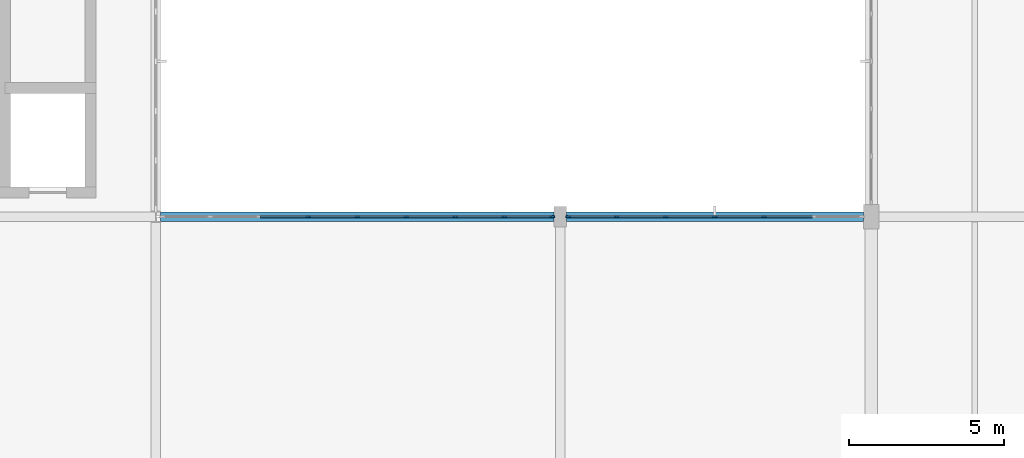
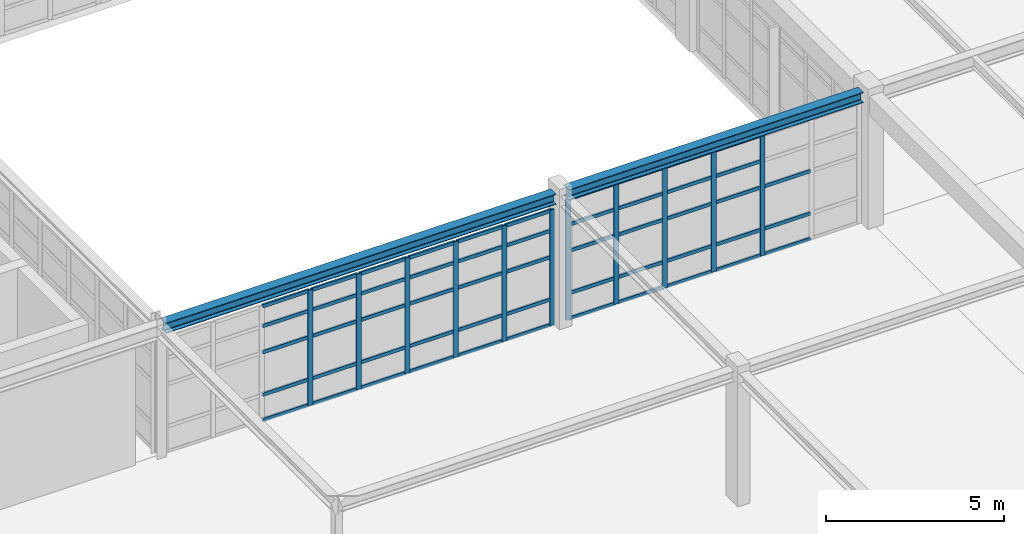
# One storey, part 67 of 139: 64 members, 2 beams, 2 elements without a shape of their own.
"""IFC4 building model written with IfcOpenShell, lengths in metres."""

from ifc_helpers import new_model, si_unit, direction, frame, origin, origin_2d, place, context, subcontext, project, spatial, rectangle, i_section, extrude, material, layer, layer_set, material_profile, profile_set, type_object, element, aggregate, save


model = new_model("IFC4")

# Units and contexts
model_context = context("Model", 3, precision=1e-05, world=origin(), true_north=direction((0.0, 1.0)))
body_context = subcontext(model_context, "Body", "Model", "MODEL_VIEW")
ifc_project = project(units=[si_unit("LENGTHUNIT", "METRE"), si_unit("AREAUNIT", "SQUARE_METRE"), si_unit("VOLUMEUNIT", "CUBIC_METRE"), si_unit("PLANEANGLEUNIT", "RADIAN"), si_unit("MASSUNIT", "GRAM", prefix="KILO"), si_unit("THERMODYNAMICTEMPERATUREUNIT", "KELVIN"), si_unit("POWERUNIT", "WATT")], contexts=[model_context])

# Site, building, storey
site_placement = place(None, origin())
site = spatial("IfcSite", under=ifc_project, at=site_placement, CompositionType="ELEMENT")
building_placement = place(site_placement, origin())
building = spatial("IfcBuilding", under=site, at=building_placement, Name="Korenveer Ferry Terminal", CompositionType="ELEMENT")
storey_placement = place(building_placement, frame((0.0, 0.0, 5.39990234375)))
storey = spatial("IfcBuildingStorey", under=building, at=storey_placement, Name="L01", CompositionType="ELEMENT", Elevation=5.39990234375)

# Curtain wall, members
ifc_material_1 = material(Name="Unitised bronze-and-glass curtain wall", Category="glass")
ifc_layer_1 = layer(ifc_material_1, 0.159912109375)
ifc_layer_set_1 = layer_set([ifc_layer_1], Name="Unitised bronze-and-glass curtain wall")
curtain_wall_type_1 = type_object("IfcCurtainWallType", Name="ENV-CW-44", PredefinedType="USERDEFINED", material=ifc_layer_set_1)
curtain_wall_1_placement = place(storey_placement, frame((123.179931640625, 50.0, 0.0)))
curtain_wall_1 = element("IfcCurtainWall", 1, at=curtain_wall_1_placement, inside=storey, type_object=curtain_wall_type_1, Name="Lancet curtain wall CWX-L01-X123-136-Y50-50", ObjectType="UNITISED CURTAIN WALL", PredefinedType="USERDEFINED")
ifc_material_2 = material(Name="Anodised bronze aluminium", Category="aluminium")
ifc_material_profile_1 = material_profile(ifc_material_2, rectangle(XDim=0.06005859375, YDim=0.159912109375, at=origin_2d()), Name="ALU 60x160")
ifc_profile_set_1 = profile_set([ifc_material_profile_1], Name="Anodised bronze aluminium")
member_type_1 = type_object("IfcMemberType", Name="ENV-CWM-60X160", PredefinedType="MULLION", material=ifc_profile_set_1)
member_1_placement = place(storey_placement, frame((127.9013671875, 50.0, 0.0), z_axis=(0.0, 0.0, 1.0), x_axis=(0.0, 1.0, 0.0)))
member_1 = element("IfcMember", 2, at=member_1_placement, type_object=member_type_1, Name="CW-44 mullion 4", PredefinedType="MULLION", context=body_context, shape_type="SweptSolid", body=[
    extrude(rectangle(XDim=0.06005859375, YDim=0.159912109375, at=origin_2d()), origin(), (0.0, 0.0, 1.0), 3.960205078125),
])
member_2_placement = place(storey_placement, frame((129.47509765625, 50.0, 0.0), z_axis=(0.0, 0.0, 1.0), x_axis=(0.0, 1.0, 0.0)))
member_2 = element("IfcMember", 3, at=member_2_placement, type_object=member_type_1, Name="CW-44 mullion 5", PredefinedType="MULLION", context=body_context, shape_type="SweptSolid", body=[
    extrude(rectangle(XDim=0.06005859375, YDim=0.159912109375, at=origin_2d()), origin(), (0.0, 0.0, 1.0), 3.960205078125),
])
member_3_placement = place(storey_placement, frame((131.048828125, 50.0, 0.0), z_axis=(0.0, 0.0, 1.0), x_axis=(0.0, 1.0, 0.0)))
member_3 = element("IfcMember", 4, at=member_3_placement, type_object=member_type_1, Name="CW-44 mullion 6", PredefinedType="MULLION", context=body_context, shape_type="SweptSolid", body=[
    extrude(rectangle(XDim=0.06005859375, YDim=0.159912109375, at=origin_2d()), origin(), (0.0, 0.0, 1.0), 3.960205078125),
])
member_4_placement = place(storey_placement, frame((132.62255859375, 50.0, 0.0), z_axis=(0.0, 0.0, 1.0), x_axis=(0.0, 1.0, 0.0)))
member_4 = element("IfcMember", 5, at=member_4_placement, type_object=member_type_1, Name="CW-44 mullion 7", PredefinedType="MULLION", context=body_context, shape_type="SweptSolid", body=[
    extrude(rectangle(XDim=0.06005859375, YDim=0.159912109375, at=origin_2d()), origin(), (0.0, 0.0, 1.0), 3.960205078125),
])
member_5_placement = place(storey_placement, frame((134.1962890625, 50.0, 0.0), z_axis=(0.0, 0.0, 1.0), x_axis=(0.0, 1.0, 0.0)))
member_5 = element("IfcMember", 6, at=member_5_placement, type_object=member_type_1, Name="CW-44 mullion 8", PredefinedType="MULLION", context=body_context, shape_type="SweptSolid", body=[
    extrude(rectangle(XDim=0.06005859375, YDim=0.159912109375, at=origin_2d()), origin(), (0.0, 0.0, 1.0), 3.960205078125),
])
member_6_placement = place(storey_placement, frame((135.739990234375, 50.0, 0.0), z_axis=(0.0, 0.0, 1.0), x_axis=(0.0, 1.0, 0.0)))
member_6 = element("IfcMember", 7, at=member_6_placement, type_object=member_type_1, Name="CW-44 mullion 9", PredefinedType="MULLION", context=body_context, shape_type="SweptSolid", body=[
    extrude(rectangle(XDim=0.06005859375, YDim=0.159912109375, at=origin_2d()), origin(), (0.0, 0.0, 1.0), 3.960205078125),
])

ifc_layer_2 = layer(ifc_material_1, 0.159912109375)
ifc_layer_set_2 = layer_set([ifc_layer_2], Name="Unitised bronze-and-glass curtain wall")
curtain_wall_type_2 = type_object("IfcCurtainWallType", Name="ENV-CW-45", PredefinedType="USERDEFINED", material=ifc_layer_set_2)
curtain_wall_2_placement = place(storey_placement, frame((136.22998046875, 50.0, 0.0)))
curtain_wall_2 = element("IfcCurtainWall", 8, at=curtain_wall_2_placement, inside=storey, type_object=curtain_wall_type_2, Name="Lancet curtain wall CWX-L01-X136-146-Y50-50", ObjectType="UNITISED CURTAIN WALL", PredefinedType="USERDEFINED")
member_7_placement = place(storey_placement, frame((136.260009765625, 50.0, 0.0), z_axis=(0.0, 0.0, 1.0), x_axis=(0.0, 1.0, 0.0)))
member_7 = element("IfcMember", 9, at=member_7_placement, type_object=member_type_1, Name="CW-45 mullion 1", PredefinedType="MULLION", context=body_context, shape_type="SweptSolid", body=[
    extrude(rectangle(XDim=0.06005859375, YDim=0.159912109375, at=origin_2d()), origin(), (0.0, 0.0, 1.0), 4.16015625),
])
member_8_placement = place(storey_placement, frame((137.811767578125, 50.0, 0.0), z_axis=(0.0, 0.0, 1.0), x_axis=(0.0, 1.0, 0.0)))
member_8 = element("IfcMember", 10, at=member_8_placement, type_object=member_type_1, Name="CW-45 mullion 2", PredefinedType="MULLION", context=body_context, shape_type="SweptSolid", body=[
    extrude(rectangle(XDim=0.06005859375, YDim=0.159912109375, at=origin_2d()), origin(), (0.0, 0.0, 1.0), 4.16015625),
])
member_9_placement = place(storey_placement, frame((139.393310546875, 50.0, 0.0), z_axis=(0.0, 0.0, 1.0), x_axis=(0.0, 1.0, 0.0)))
member_9 = element("IfcMember", 11, at=member_9_placement, type_object=member_type_1, Name="CW-45 mullion 3", PredefinedType="MULLION", context=body_context, shape_type="SweptSolid", body=[
    extrude(rectangle(XDim=0.06005859375, YDim=0.159912109375, at=origin_2d()), origin(), (0.0, 0.0, 1.0), 4.16015625),
])
member_10_placement = place(storey_placement, frame((140.97509765625, 50.0, 0.0), z_axis=(0.0, 0.0, 1.0), x_axis=(0.0, 1.0, 0.0)))
member_10 = element("IfcMember", 12, at=member_10_placement, type_object=member_type_1, Name="CW-45 mullion 4", PredefinedType="MULLION", context=body_context, shape_type="SweptSolid", body=[
    extrude(rectangle(XDim=0.06005859375, YDim=0.159912109375, at=origin_2d()), origin(), (0.0, 0.0, 1.0), 4.16015625),
])
member_11_placement = place(storey_placement, frame((142.556640625, 50.0, 0.0), z_axis=(0.0, 0.0, 1.0), x_axis=(0.0, 1.0, 0.0)))
member_11 = element("IfcMember", 13, at=member_11_placement, type_object=member_type_1, Name="CW-45 mullion 5", PredefinedType="MULLION", context=body_context, shape_type="SweptSolid", body=[
    extrude(rectangle(XDim=0.06005859375, YDim=0.159912109375, at=origin_2d()), origin(), (0.0, 0.0, 1.0), 4.16015625),
])

# Member
ifc_material_profile_2 = material_profile(ifc_material_2, rectangle(XDim=0.06005859375, YDim=0.1201171875, at=origin_2d()), Name="ALU 60x120")
ifc_profile_set_2 = profile_set([ifc_material_profile_2], Name="Anodised bronze aluminium")
member_type_2 = type_object("IfcMemberType", Name="ENV-CWT-60X120", PredefinedType="USERDEFINED", material=ifc_profile_set_2)
member_12_placement = place(storey_placement, frame((126.357421875, 50.0, 0.030029296875), z_axis=(1.0, 0.0, 0.0), x_axis=(0.0, 1.0, 0.0)))
member_12 = element("IfcMember", 14, at=member_12_placement, type_object=member_type_2, Name="CW-44 transom 3.1", ObjectType="TRANSOM", PredefinedType="USERDEFINED", context=body_context, shape_type="SweptSolid", body=[
    extrude(rectangle(XDim=0.06005859375, YDim=0.1201171875, at=origin_2d()), origin(), (0.0, 0.0, 1.0), 1.513916015625),
])

member_13_placement = place(storey_placement, frame((126.357421875, 50.0, 0.900146484375), z_axis=(1.0, 0.0, 0.0), x_axis=(0.0, 1.0, 0.0)))
member_13 = element("IfcMember", 15, at=member_13_placement, type_object=member_type_2, Name="CW-44 transom 3.2", ObjectType="TRANSOM", PredefinedType="USERDEFINED", context=body_context, shape_type="SweptSolid", body=[
    extrude(rectangle(XDim=0.06005859375, YDim=0.1201171875, at=origin_2d()), origin(), (0.0, 0.0, 1.0), 1.513916015625),
])

member_14_placement = place(storey_placement, frame((126.357421875, 50.0, 2.35009765625), z_axis=(1.0, 0.0, 0.0), x_axis=(0.0, 1.0, 0.0)))
member_14 = element("IfcMember", 16, at=member_14_placement, type_object=member_type_2, Name="CW-44 transom 3.3", ObjectType="TRANSOM", PredefinedType="USERDEFINED", context=body_context, shape_type="SweptSolid", body=[
    extrude(rectangle(XDim=0.06005859375, YDim=0.1201171875, at=origin_2d()), origin(), (0.0, 0.0, 1.0), 1.513916015625),
])

member_15_placement = place(storey_placement, frame((126.357421875, 50.0, 3.25), z_axis=(1.0, 0.0, 0.0), x_axis=(0.0, 1.0, 0.0)))
member_15 = element("IfcMember", 17, at=member_15_placement, type_object=member_type_2, Name="CW-44 transom 3.4", ObjectType="TRANSOM", PredefinedType="USERDEFINED", context=body_context, shape_type="SweptSolid", body=[
    extrude(rectangle(XDim=0.06005859375, YDim=0.1201171875, at=origin_2d()), origin(), (0.0, 0.0, 1.0), 1.513916015625),
])

member_16_placement = place(storey_placement, frame((126.357421875, 50.0, 3.93017578125), z_axis=(1.0, 0.0, 0.0), x_axis=(0.0, 1.0, 0.0)))
member_16 = element("IfcMember", 18, at=member_16_placement, type_object=member_type_2, Name="CW-44 transom 3.5", ObjectType="TRANSOM", PredefinedType="USERDEFINED", context=body_context, shape_type="SweptSolid", body=[
    extrude(rectangle(XDim=0.06005859375, YDim=0.1201171875, at=origin_2d()), origin(), (0.0, 0.0, 1.0), 1.513916015625),
])

member_17_placement = place(storey_placement, frame((127.93115234375, 50.0, 0.030029296875), z_axis=(1.0, 0.0, 0.0), x_axis=(0.0, 1.0, 0.0)))
member_17 = element("IfcMember", 19, at=member_17_placement, type_object=member_type_2, Name="CW-44 transom 4.1", ObjectType="TRANSOM", PredefinedType="USERDEFINED", context=body_context, shape_type="SweptSolid", body=[
    extrude(rectangle(XDim=0.06005859375, YDim=0.1201171875, at=origin_2d()), origin(), (0.0, 0.0, 1.0), 1.513916015625),
])

member_18_placement = place(storey_placement, frame((127.93115234375, 50.0, 0.900146484375), z_axis=(1.0, 0.0, 0.0), x_axis=(0.0, 1.0, 0.0)))
member_18 = element("IfcMember", 20, at=member_18_placement, type_object=member_type_2, Name="CW-44 transom 4.2", ObjectType="TRANSOM", PredefinedType="USERDEFINED", context=body_context, shape_type="SweptSolid", body=[
    extrude(rectangle(XDim=0.06005859375, YDim=0.1201171875, at=origin_2d()), origin(), (0.0, 0.0, 1.0), 1.513916015625),
])

member_19_placement = place(storey_placement, frame((127.93115234375, 50.0, 2.35009765625), z_axis=(1.0, 0.0, 0.0), x_axis=(0.0, 1.0, 0.0)))
member_19 = element("IfcMember", 21, at=member_19_placement, type_object=member_type_2, Name="CW-44 transom 4.3", ObjectType="TRANSOM", PredefinedType="USERDEFINED", context=body_context, shape_type="SweptSolid", body=[
    extrude(rectangle(XDim=0.06005859375, YDim=0.1201171875, at=origin_2d()), origin(), (0.0, 0.0, 1.0), 1.513916015625),
])

member_20_placement = place(storey_placement, frame((127.93115234375, 50.0, 3.25), z_axis=(1.0, 0.0, 0.0), x_axis=(0.0, 1.0, 0.0)))
member_20 = element("IfcMember", 22, at=member_20_placement, type_object=member_type_2, Name="CW-44 transom 4.4", ObjectType="TRANSOM", PredefinedType="USERDEFINED", context=body_context, shape_type="SweptSolid", body=[
    extrude(rectangle(XDim=0.06005859375, YDim=0.1201171875, at=origin_2d()), origin(), (0.0, 0.0, 1.0), 1.513916015625),
])

member_21_placement = place(storey_placement, frame((127.93115234375, 50.0, 3.93017578125), z_axis=(1.0, 0.0, 0.0), x_axis=(0.0, 1.0, 0.0)))
member_21 = element("IfcMember", 23, at=member_21_placement, type_object=member_type_2, Name="CW-44 transom 4.5", ObjectType="TRANSOM", PredefinedType="USERDEFINED", context=body_context, shape_type="SweptSolid", body=[
    extrude(rectangle(XDim=0.06005859375, YDim=0.1201171875, at=origin_2d()), origin(), (0.0, 0.0, 1.0), 1.513916015625),
])

member_22_placement = place(storey_placement, frame((129.5048828125, 50.0, 0.030029296875), z_axis=(1.0, 0.0, 0.0), x_axis=(0.0, 1.0, 0.0)))
member_22 = element("IfcMember", 24, at=member_22_placement, type_object=member_type_2, Name="CW-44 transom 5.1", ObjectType="TRANSOM", PredefinedType="USERDEFINED", context=body_context, shape_type="SweptSolid", body=[
    extrude(rectangle(XDim=0.06005859375, YDim=0.1201171875, at=origin_2d()), origin(), (0.0, 0.0, 1.0), 1.513916015625),
])

member_23_placement = place(storey_placement, frame((129.5048828125, 50.0, 0.900146484375), z_axis=(1.0, 0.0, 0.0), x_axis=(0.0, 1.0, 0.0)))
member_23 = element("IfcMember", 25, at=member_23_placement, type_object=member_type_2, Name="CW-44 transom 5.2", ObjectType="TRANSOM", PredefinedType="USERDEFINED", context=body_context, shape_type="SweptSolid", body=[
    extrude(rectangle(XDim=0.06005859375, YDim=0.1201171875, at=origin_2d()), origin(), (0.0, 0.0, 1.0), 1.513916015625),
])

member_24_placement = place(storey_placement, frame((129.5048828125, 50.0, 2.35009765625), z_axis=(1.0, 0.0, 0.0), x_axis=(0.0, 1.0, 0.0)))
member_24 = element("IfcMember", 26, at=member_24_placement, type_object=member_type_2, Name="CW-44 transom 5.3", ObjectType="TRANSOM", PredefinedType="USERDEFINED", context=body_context, shape_type="SweptSolid", body=[
    extrude(rectangle(XDim=0.06005859375, YDim=0.1201171875, at=origin_2d()), origin(), (0.0, 0.0, 1.0), 1.513916015625),
])

member_25_placement = place(storey_placement, frame((129.5048828125, 50.0, 3.25), z_axis=(1.0, 0.0, 0.0), x_axis=(0.0, 1.0, 0.0)))
member_25 = element("IfcMember", 27, at=member_25_placement, type_object=member_type_2, Name="CW-44 transom 5.4", ObjectType="TRANSOM", PredefinedType="USERDEFINED", context=body_context, shape_type="SweptSolid", body=[
    extrude(rectangle(XDim=0.06005859375, YDim=0.1201171875, at=origin_2d()), origin(), (0.0, 0.0, 1.0), 1.513916015625),
])

member_26_placement = place(storey_placement, frame((129.5048828125, 50.0, 3.93017578125), z_axis=(1.0, 0.0, 0.0), x_axis=(0.0, 1.0, 0.0)))
member_26 = element("IfcMember", 28, at=member_26_placement, type_object=member_type_2, Name="CW-44 transom 5.5", ObjectType="TRANSOM", PredefinedType="USERDEFINED", context=body_context, shape_type="SweptSolid", body=[
    extrude(rectangle(XDim=0.06005859375, YDim=0.1201171875, at=origin_2d()), origin(), (0.0, 0.0, 1.0), 1.513916015625),
])

member_27_placement = place(storey_placement, frame((131.078857421875, 50.0, 0.030029296875), z_axis=(1.0, 0.0, 0.0), x_axis=(0.0, 1.0, 0.0)))
member_27 = element("IfcMember", 29, at=member_27_placement, type_object=member_type_2, Name="CW-44 transom 6.1", ObjectType="TRANSOM", PredefinedType="USERDEFINED", context=body_context, shape_type="SweptSolid", body=[
    extrude(rectangle(XDim=0.06005859375, YDim=0.1201171875, at=origin_2d()), origin(), (0.0, 0.0, 1.0), 1.513671875),
])

member_28_placement = place(storey_placement, frame((131.078857421875, 50.0, 0.900146484375), z_axis=(1.0, 0.0, 0.0), x_axis=(0.0, 1.0, 0.0)))
member_28 = element("IfcMember", 30, at=member_28_placement, type_object=member_type_2, Name="CW-44 transom 6.2", ObjectType="TRANSOM", PredefinedType="USERDEFINED", context=body_context, shape_type="SweptSolid", body=[
    extrude(rectangle(XDim=0.06005859375, YDim=0.1201171875, at=origin_2d()), origin(), (0.0, 0.0, 1.0), 1.513671875),
])

member_29_placement = place(storey_placement, frame((131.078857421875, 50.0, 2.35009765625), z_axis=(1.0, 0.0, 0.0), x_axis=(0.0, 1.0, 0.0)))
member_29 = element("IfcMember", 31, at=member_29_placement, type_object=member_type_2, Name="CW-44 transom 6.3", ObjectType="TRANSOM", PredefinedType="USERDEFINED", context=body_context, shape_type="SweptSolid", body=[
    extrude(rectangle(XDim=0.06005859375, YDim=0.1201171875, at=origin_2d()), origin(), (0.0, 0.0, 1.0), 1.513671875),
])

member_30_placement = place(storey_placement, frame((131.078857421875, 50.0, 3.25), z_axis=(1.0, 0.0, 0.0), x_axis=(0.0, 1.0, 0.0)))
member_30 = element("IfcMember", 32, at=member_30_placement, type_object=member_type_2, Name="CW-44 transom 6.4", ObjectType="TRANSOM", PredefinedType="USERDEFINED", context=body_context, shape_type="SweptSolid", body=[
    extrude(rectangle(XDim=0.06005859375, YDim=0.1201171875, at=origin_2d()), origin(), (0.0, 0.0, 1.0), 1.513671875),
])

member_31_placement = place(storey_placement, frame((131.078857421875, 50.0, 3.93017578125), z_axis=(1.0, 0.0, 0.0), x_axis=(0.0, 1.0, 0.0)))
member_31 = element("IfcMember", 33, at=member_31_placement, type_object=member_type_2, Name="CW-44 transom 6.5", ObjectType="TRANSOM", PredefinedType="USERDEFINED", context=body_context, shape_type="SweptSolid", body=[
    extrude(rectangle(XDim=0.06005859375, YDim=0.1201171875, at=origin_2d()), origin(), (0.0, 0.0, 1.0), 1.513671875),
])

member_32_placement = place(storey_placement, frame((132.652587890625, 50.0, 0.030029296875), z_axis=(1.0, 0.0, 0.0), x_axis=(0.0, 1.0, 0.0)))
member_32 = element("IfcMember", 34, at=member_32_placement, type_object=member_type_2, Name="CW-44 transom 7.1", ObjectType="TRANSOM", PredefinedType="USERDEFINED", context=body_context, shape_type="SweptSolid", body=[
    extrude(rectangle(XDim=0.06005859375, YDim=0.1201171875, at=origin_2d()), origin(), (0.0, 0.0, 1.0), 1.513671875),
])

member_33_placement = place(storey_placement, frame((132.652587890625, 50.0, 0.900146484375), z_axis=(1.0, 0.0, 0.0), x_axis=(0.0, 1.0, 0.0)))
member_33 = element("IfcMember", 35, at=member_33_placement, type_object=member_type_2, Name="CW-44 transom 7.2", ObjectType="TRANSOM", PredefinedType="USERDEFINED", context=body_context, shape_type="SweptSolid", body=[
    extrude(rectangle(XDim=0.06005859375, YDim=0.1201171875, at=origin_2d()), origin(), (0.0, 0.0, 1.0), 1.513671875),
])

member_34_placement = place(storey_placement, frame((132.652587890625, 50.0, 2.35009765625), z_axis=(1.0, 0.0, 0.0), x_axis=(0.0, 1.0, 0.0)))
member_34 = element("IfcMember", 36, at=member_34_placement, type_object=member_type_2, Name="CW-44 transom 7.3", ObjectType="TRANSOM", PredefinedType="USERDEFINED", context=body_context, shape_type="SweptSolid", body=[
    extrude(rectangle(XDim=0.06005859375, YDim=0.1201171875, at=origin_2d()), origin(), (0.0, 0.0, 1.0), 1.513671875),
])

member_35_placement = place(storey_placement, frame((132.652587890625, 50.0, 3.25), z_axis=(1.0, 0.0, 0.0), x_axis=(0.0, 1.0, 0.0)))
member_35 = element("IfcMember", 37, at=member_35_placement, type_object=member_type_2, Name="CW-44 transom 7.4", ObjectType="TRANSOM", PredefinedType="USERDEFINED", context=body_context, shape_type="SweptSolid", body=[
    extrude(rectangle(XDim=0.06005859375, YDim=0.1201171875, at=origin_2d()), origin(), (0.0, 0.0, 1.0), 1.513671875),
])

member_36_placement = place(storey_placement, frame((132.652587890625, 50.0, 3.93017578125), z_axis=(1.0, 0.0, 0.0), x_axis=(0.0, 1.0, 0.0)))
member_36 = element("IfcMember", 38, at=member_36_placement, type_object=member_type_2, Name="CW-44 transom 7.5", ObjectType="TRANSOM", PredefinedType="USERDEFINED", context=body_context, shape_type="SweptSolid", body=[
    extrude(rectangle(XDim=0.06005859375, YDim=0.1201171875, at=origin_2d()), origin(), (0.0, 0.0, 1.0), 1.513671875),
])

member_37_placement = place(storey_placement, frame((134.226318359375, 50.0, 0.030029296875), z_axis=(1.0, 0.0, 0.0), x_axis=(0.0, 1.0, 0.0)))
member_37 = element("IfcMember", 39, at=member_37_placement, type_object=member_type_2, Name="CW-44 transom 8.1", ObjectType="TRANSOM", PredefinedType="USERDEFINED", context=body_context, shape_type="SweptSolid", body=[
    extrude(rectangle(XDim=0.06005859375, YDim=0.1201171875, at=origin_2d()), origin(), (0.0, 0.0, 1.0), 1.483642578125),
])

member_38_placement = place(storey_placement, frame((134.226318359375, 50.0, 0.900146484375), z_axis=(1.0, 0.0, 0.0), x_axis=(0.0, 1.0, 0.0)))
member_38 = element("IfcMember", 40, at=member_38_placement, type_object=member_type_2, Name="CW-44 transom 8.2", ObjectType="TRANSOM", PredefinedType="USERDEFINED", context=body_context, shape_type="SweptSolid", body=[
    extrude(rectangle(XDim=0.06005859375, YDim=0.1201171875, at=origin_2d()), origin(), (0.0, 0.0, 1.0), 1.483642578125),
])

member_39_placement = place(storey_placement, frame((134.226318359375, 50.0, 2.35009765625), z_axis=(1.0, 0.0, 0.0), x_axis=(0.0, 1.0, 0.0)))
member_39 = element("IfcMember", 41, at=member_39_placement, type_object=member_type_2, Name="CW-44 transom 8.3", ObjectType="TRANSOM", PredefinedType="USERDEFINED", context=body_context, shape_type="SweptSolid", body=[
    extrude(rectangle(XDim=0.06005859375, YDim=0.1201171875, at=origin_2d()), origin(), (0.0, 0.0, 1.0), 1.483642578125),
])

member_40_placement = place(storey_placement, frame((134.226318359375, 50.0, 3.25), z_axis=(1.0, 0.0, 0.0), x_axis=(0.0, 1.0, 0.0)))
member_40 = element("IfcMember", 42, at=member_40_placement, type_object=member_type_2, Name="CW-44 transom 8.4", ObjectType="TRANSOM", PredefinedType="USERDEFINED", context=body_context, shape_type="SweptSolid", body=[
    extrude(rectangle(XDim=0.06005859375, YDim=0.1201171875, at=origin_2d()), origin(), (0.0, 0.0, 1.0), 1.483642578125),
])

member_41_placement = place(storey_placement, frame((134.226318359375, 50.0, 3.93017578125), z_axis=(1.0, 0.0, 0.0), x_axis=(0.0, 1.0, 0.0)))
member_41 = element("IfcMember", 43, at=member_41_placement, type_object=member_type_2, Name="CW-44 transom 8.5", ObjectType="TRANSOM", PredefinedType="USERDEFINED", context=body_context, shape_type="SweptSolid", body=[
    extrude(rectangle(XDim=0.06005859375, YDim=0.1201171875, at=origin_2d()), origin(), (0.0, 0.0, 1.0), 1.483642578125),
])

aggregate(curtain_wall_1, [member_1, member_2, member_3, member_4, member_5, member_6, member_12, member_13, member_14, member_15, member_16, member_17, member_18, member_19, member_20, member_21, member_22, member_23, member_24, member_25, member_26, member_27, member_28, member_29, member_30, member_31, member_32, member_33, member_34, member_35, member_36, member_37, member_38, member_39, member_40, member_41])

member_42_placement = place(storey_placement, frame((136.2900390625, 50.0, 0.030029296875), z_axis=(1.0, 0.0, 0.0), x_axis=(0.0, 1.0, 0.0)))
member_42 = element("IfcMember", 44, at=member_42_placement, type_object=member_type_2, Name="CW-45 transom 1.1", ObjectType="TRANSOM", PredefinedType="USERDEFINED", context=body_context, shape_type="SweptSolid", body=[
    extrude(rectangle(XDim=0.06005859375, YDim=0.1201171875, at=origin_2d()), origin(), (0.0, 0.0, 1.0), 1.49169921875),
])

member_43_placement = place(storey_placement, frame((136.2900390625, 50.0, 0.900146484375), z_axis=(1.0, 0.0, 0.0), x_axis=(0.0, 1.0, 0.0)))
member_43 = element("IfcMember", 45, at=member_43_placement, type_object=member_type_2, Name="CW-45 transom 1.2", ObjectType="TRANSOM", PredefinedType="USERDEFINED", context=body_context, shape_type="SweptSolid", body=[
    extrude(rectangle(XDim=0.06005859375, YDim=0.1201171875, at=origin_2d()), origin(), (0.0, 0.0, 1.0), 1.49169921875),
])

member_44_placement = place(storey_placement, frame((136.2900390625, 50.0, 2.35009765625), z_axis=(1.0, 0.0, 0.0), x_axis=(0.0, 1.0, 0.0)))
member_44 = element("IfcMember", 46, at=member_44_placement, type_object=member_type_2, Name="CW-45 transom 1.3", ObjectType="TRANSOM", PredefinedType="USERDEFINED", context=body_context, shape_type="SweptSolid", body=[
    extrude(rectangle(XDim=0.06005859375, YDim=0.1201171875, at=origin_2d()), origin(), (0.0, 0.0, 1.0), 1.49169921875),
])

member_45_placement = place(storey_placement, frame((136.2900390625, 50.0, 3.25), z_axis=(1.0, 0.0, 0.0), x_axis=(0.0, 1.0, 0.0)))
member_45 = element("IfcMember", 47, at=member_45_placement, type_object=member_type_2, Name="CW-45 transom 1.4", ObjectType="TRANSOM", PredefinedType="USERDEFINED", context=body_context, shape_type="SweptSolid", body=[
    extrude(rectangle(XDim=0.06005859375, YDim=0.1201171875, at=origin_2d()), origin(), (0.0, 0.0, 1.0), 1.49169921875),
])

member_46_placement = place(storey_placement, frame((136.2900390625, 50.0, 4.130126953125), z_axis=(1.0, 0.0, 0.0), x_axis=(0.0, 1.0, 0.0)))
member_46 = element("IfcMember", 48, at=member_46_placement, type_object=member_type_2, Name="CW-45 transom 1.5", ObjectType="TRANSOM", PredefinedType="USERDEFINED", context=body_context, shape_type="SweptSolid", body=[
    extrude(rectangle(XDim=0.06005859375, YDim=0.1201171875, at=origin_2d()), origin(), (0.0, 0.0, 1.0), 1.49169921875),
])

member_47_placement = place(storey_placement, frame((137.841552734375, 50.0, 0.030029296875), z_axis=(1.0, 0.0, 0.0), x_axis=(0.0, 1.0, 0.0)))
member_47 = element("IfcMember", 49, at=member_47_placement, type_object=member_type_2, Name="CW-45 transom 2.1", ObjectType="TRANSOM", PredefinedType="USERDEFINED", context=body_context, shape_type="SweptSolid", body=[
    extrude(rectangle(XDim=0.06005859375, YDim=0.1201171875, at=origin_2d()), origin(), (0.0, 0.0, 1.0), 1.521728515625),
])

member_48_placement = place(storey_placement, frame((137.841552734375, 50.0, 0.900146484375), z_axis=(1.0, 0.0, 0.0), x_axis=(0.0, 1.0, 0.0)))
member_48 = element("IfcMember", 50, at=member_48_placement, type_object=member_type_2, Name="CW-45 transom 2.2", ObjectType="TRANSOM", PredefinedType="USERDEFINED", context=body_context, shape_type="SweptSolid", body=[
    extrude(rectangle(XDim=0.06005859375, YDim=0.1201171875, at=origin_2d()), origin(), (0.0, 0.0, 1.0), 1.521728515625),
])

member_49_placement = place(storey_placement, frame((137.841552734375, 50.0, 2.35009765625), z_axis=(1.0, 0.0, 0.0), x_axis=(0.0, 1.0, 0.0)))
member_49 = element("IfcMember", 51, at=member_49_placement, type_object=member_type_2, Name="CW-45 transom 2.3", ObjectType="TRANSOM", PredefinedType="USERDEFINED", context=body_context, shape_type="SweptSolid", body=[
    extrude(rectangle(XDim=0.06005859375, YDim=0.1201171875, at=origin_2d()), origin(), (0.0, 0.0, 1.0), 1.521728515625),
])

member_50_placement = place(storey_placement, frame((137.841552734375, 50.0, 3.25), z_axis=(1.0, 0.0, 0.0), x_axis=(0.0, 1.0, 0.0)))
member_50 = element("IfcMember", 52, at=member_50_placement, type_object=member_type_2, Name="CW-45 transom 2.4", ObjectType="TRANSOM", PredefinedType="USERDEFINED", context=body_context, shape_type="SweptSolid", body=[
    extrude(rectangle(XDim=0.06005859375, YDim=0.1201171875, at=origin_2d()), origin(), (0.0, 0.0, 1.0), 1.521728515625),
])

member_51_placement = place(storey_placement, frame((137.841552734375, 50.0, 4.130126953125), z_axis=(1.0, 0.0, 0.0), x_axis=(0.0, 1.0, 0.0)))
member_51 = element("IfcMember", 53, at=member_51_placement, type_object=member_type_2, Name="CW-45 transom 2.5", ObjectType="TRANSOM", PredefinedType="USERDEFINED", context=body_context, shape_type="SweptSolid", body=[
    extrude(rectangle(XDim=0.06005859375, YDim=0.1201171875, at=origin_2d()), origin(), (0.0, 0.0, 1.0), 1.521728515625),
])

member_52_placement = place(storey_placement, frame((139.42333984375, 50.0, 0.030029296875), z_axis=(1.0, 0.0, 0.0), x_axis=(0.0, 1.0, 0.0)))
member_52 = element("IfcMember", 54, at=member_52_placement, type_object=member_type_2, Name="CW-45 transom 3.1", ObjectType="TRANSOM", PredefinedType="USERDEFINED", context=body_context, shape_type="SweptSolid", body=[
    extrude(rectangle(XDim=0.06005859375, YDim=0.1201171875, at=origin_2d()), origin(), (0.0, 0.0, 1.0), 1.521728515625),
])

member_53_placement = place(storey_placement, frame((139.42333984375, 50.0, 0.900146484375), z_axis=(1.0, 0.0, 0.0), x_axis=(0.0, 1.0, 0.0)))
member_53 = element("IfcMember", 55, at=member_53_placement, type_object=member_type_2, Name="CW-45 transom 3.2", ObjectType="TRANSOM", PredefinedType="USERDEFINED", context=body_context, shape_type="SweptSolid", body=[
    extrude(rectangle(XDim=0.06005859375, YDim=0.1201171875, at=origin_2d()), origin(), (0.0, 0.0, 1.0), 1.521728515625),
])

member_54_placement = place(storey_placement, frame((139.42333984375, 50.0, 2.35009765625), z_axis=(1.0, 0.0, 0.0), x_axis=(0.0, 1.0, 0.0)))
member_54 = element("IfcMember", 56, at=member_54_placement, type_object=member_type_2, Name="CW-45 transom 3.3", ObjectType="TRANSOM", PredefinedType="USERDEFINED", context=body_context, shape_type="SweptSolid", body=[
    extrude(rectangle(XDim=0.06005859375, YDim=0.1201171875, at=origin_2d()), origin(), (0.0, 0.0, 1.0), 1.521728515625),
])

member_55_placement = place(storey_placement, frame((139.42333984375, 50.0, 3.25), z_axis=(1.0, 0.0, 0.0), x_axis=(0.0, 1.0, 0.0)))
member_55 = element("IfcMember", 57, at=member_55_placement, type_object=member_type_2, Name="CW-45 transom 3.4", ObjectType="TRANSOM", PredefinedType="USERDEFINED", context=body_context, shape_type="SweptSolid", body=[
    extrude(rectangle(XDim=0.06005859375, YDim=0.1201171875, at=origin_2d()), origin(), (0.0, 0.0, 1.0), 1.521728515625),
])

member_56_placement = place(storey_placement, frame((139.42333984375, 50.0, 4.130126953125), z_axis=(1.0, 0.0, 0.0), x_axis=(0.0, 1.0, 0.0)))
member_56 = element("IfcMember", 58, at=member_56_placement, type_object=member_type_2, Name="CW-45 transom 3.5", ObjectType="TRANSOM", PredefinedType="USERDEFINED", context=body_context, shape_type="SweptSolid", body=[
    extrude(rectangle(XDim=0.06005859375, YDim=0.1201171875, at=origin_2d()), origin(), (0.0, 0.0, 1.0), 1.521728515625),
])

member_57_placement = place(storey_placement, frame((141.0048828125, 50.0, 0.030029296875), z_axis=(1.0, 0.0, 0.0), x_axis=(0.0, 1.0, 0.0)))
member_57 = element("IfcMember", 59, at=member_57_placement, type_object=member_type_2, Name="CW-45 transom 4.1", ObjectType="TRANSOM", PredefinedType="USERDEFINED", context=body_context, shape_type="SweptSolid", body=[
    extrude(rectangle(XDim=0.06005859375, YDim=0.1201171875, at=origin_2d()), origin(), (0.0, 0.0, 1.0), 1.521728515625),
])

member_58_placement = place(storey_placement, frame((141.0048828125, 50.0, 0.900146484375), z_axis=(1.0, 0.0, 0.0), x_axis=(0.0, 1.0, 0.0)))
member_58 = element("IfcMember", 60, at=member_58_placement, type_object=member_type_2, Name="CW-45 transom 4.2", ObjectType="TRANSOM", PredefinedType="USERDEFINED", context=body_context, shape_type="SweptSolid", body=[
    extrude(rectangle(XDim=0.06005859375, YDim=0.1201171875, at=origin_2d()), origin(), (0.0, 0.0, 1.0), 1.521728515625),
])

member_59_placement = place(storey_placement, frame((141.0048828125, 50.0, 2.35009765625), z_axis=(1.0, 0.0, 0.0), x_axis=(0.0, 1.0, 0.0)))
member_59 = element("IfcMember", 61, at=member_59_placement, type_object=member_type_2, Name="CW-45 transom 4.3", ObjectType="TRANSOM", PredefinedType="USERDEFINED", context=body_context, shape_type="SweptSolid", body=[
    extrude(rectangle(XDim=0.06005859375, YDim=0.1201171875, at=origin_2d()), origin(), (0.0, 0.0, 1.0), 1.521728515625),
])

member_60_placement = place(storey_placement, frame((141.0048828125, 50.0, 3.25), z_axis=(1.0, 0.0, 0.0), x_axis=(0.0, 1.0, 0.0)))
member_60 = element("IfcMember", 62, at=member_60_placement, type_object=member_type_2, Name="CW-45 transom 4.4", ObjectType="TRANSOM", PredefinedType="USERDEFINED", context=body_context, shape_type="SweptSolid", body=[
    extrude(rectangle(XDim=0.06005859375, YDim=0.1201171875, at=origin_2d()), origin(), (0.0, 0.0, 1.0), 1.521728515625),
])

member_61_placement = place(storey_placement, frame((141.0048828125, 50.0, 4.130126953125), z_axis=(1.0, 0.0, 0.0), x_axis=(0.0, 1.0, 0.0)))
member_61 = element("IfcMember", 63, at=member_61_placement, type_object=member_type_2, Name="CW-45 transom 4.5", ObjectType="TRANSOM", PredefinedType="USERDEFINED", context=body_context, shape_type="SweptSolid", body=[
    extrude(rectangle(XDim=0.06005859375, YDim=0.1201171875, at=origin_2d()), origin(), (0.0, 0.0, 1.0), 1.521728515625),
])

member_62_placement = place(storey_placement, frame((142.586669921875, 50.0, 0.030029296875), z_axis=(1.0, 0.0, 0.0), x_axis=(0.0, 1.0, 0.0)))
member_62 = element("IfcMember", 64, at=member_62_placement, type_object=member_type_2, Name="CW-45 transom 5.1", ObjectType="TRANSOM", PredefinedType="USERDEFINED", context=body_context, shape_type="SweptSolid", body=[
    extrude(rectangle(XDim=0.06005859375, YDim=0.1201171875, at=origin_2d()), origin(), (0.0, 0.0, 1.0), 1.521728515625),
])

member_63_placement = place(storey_placement, frame((142.586669921875, 50.0, 0.900146484375), z_axis=(1.0, 0.0, 0.0), x_axis=(0.0, 1.0, 0.0)))
member_63 = element("IfcMember", 65, at=member_63_placement, type_object=member_type_2, Name="CW-45 transom 5.2", ObjectType="TRANSOM", PredefinedType="USERDEFINED", context=body_context, shape_type="SweptSolid", body=[
    extrude(rectangle(XDim=0.06005859375, YDim=0.1201171875, at=origin_2d()), origin(), (0.0, 0.0, 1.0), 1.521728515625),
])

member_64_placement = place(storey_placement, frame((142.586669921875, 50.0, 2.35009765625), z_axis=(1.0, 0.0, 0.0), x_axis=(0.0, 1.0, 0.0)))
member_64 = element("IfcMember", 66, at=member_64_placement, type_object=member_type_2, Name="CW-45 transom 5.3", ObjectType="TRANSOM", PredefinedType="USERDEFINED", context=body_context, shape_type="SweptSolid", body=[
    extrude(rectangle(XDim=0.06005859375, YDim=0.1201171875, at=origin_2d()), origin(), (0.0, 0.0, 1.0), 1.521728515625),
])

aggregate(curtain_wall_2, [member_7, member_8, member_9, member_10, member_11, member_42, member_43, member_44, member_45, member_46, member_47, member_48, member_49, member_50, member_51, member_52, member_53, member_54, member_55, member_56, member_57, member_58, member_59, member_60, member_61, member_62, member_63, member_64])

# Beams
ifc_material_3 = material(Name="Steel S355", Category="steel")
ifc_material_profile_3 = material_profile(ifc_material_3, i_section(OverallWidth=0.300048828125, OverallDepth=0.360107421875, WebThickness=0.012451171875, FlangeThickness=0.0224609375, FilletRadius=0.027099609375, at=origin_2d()), Name="HEB 360")
ifc_profile_set_3 = profile_set([ifc_material_profile_3], Name="Steel S355")
beam_type = type_object("IfcBeamType", Name="STR-BM-HEB360", PredefinedType="BEAM", material=ifc_profile_set_3)
beam_1_placement = place(storey_placement, frame((123.14990234375, 50.0, 4.3701171875), z_axis=(1.0, 0.0, 0.0), x_axis=(0.0, 1.0, 0.0)))
element("IfcBeam", 67, at=beam_1_placement, inside=storey, type_object=beam_type, Name="Cloister pergola trellis girder BMPERG-X123-136-Y50", PredefinedType="BEAM", context=body_context, shape_type="SweptSolid", body=[
    extrude(i_section(OverallWidth=0.300048828125, OverallDepth=0.360107421875, WebThickness=0.012451171875, FlangeThickness=0.0224609375, FilletRadius=0.027099609375, at=origin_2d()), origin(), (0.0, 0.0, 1.0), 12.650146484375),
])
beam_2_placement = place(storey_placement, frame((136.199951171875, 50.0, 4.3701171875), z_axis=(1.0, 0.0, 0.0), x_axis=(0.0, 1.0, 0.0)))
element("IfcBeam", 68, at=beam_2_placement, inside=storey, type_object=beam_type, Name="Cloister pergola trellis girder BMPERG-X136-146-Y50", PredefinedType="BEAM", context=body_context, shape_type="SweptSolid", body=[
    extrude(i_section(OverallWidth=0.300048828125, OverallDepth=0.360107421875, WebThickness=0.012451171875, FlangeThickness=0.0224609375, FilletRadius=0.027099609375, at=origin_2d()), origin(), (0.0, 0.0, 1.0), 9.550048828125),
])

save(model, "model.ifc")
